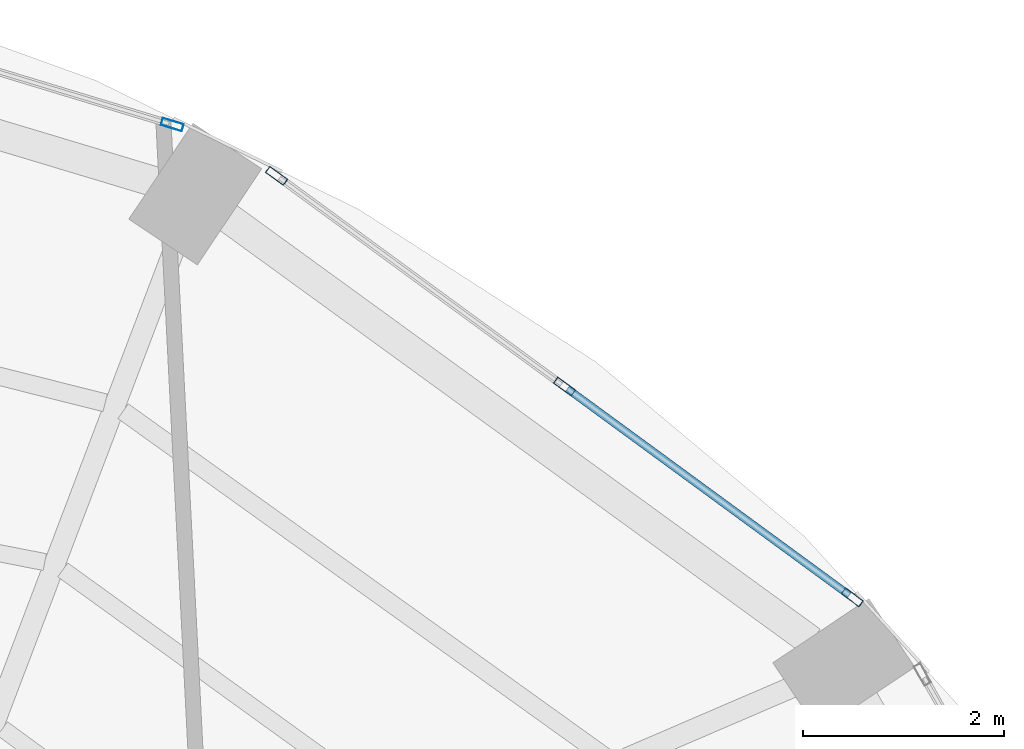
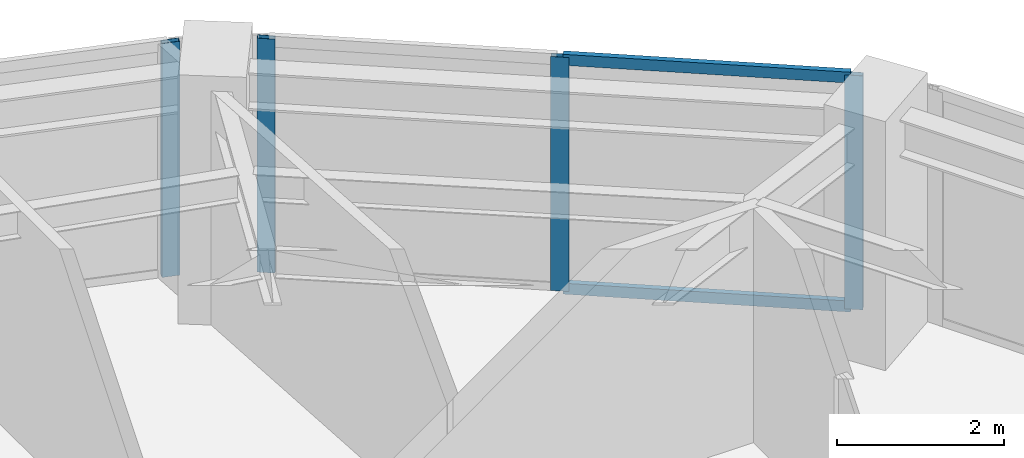
# One storey, part 14 of 20: 6 members, 2 elements without a shape of their own.
"""IFC4 building model written with IfcOpenShell, lengths in metres."""

from ifc_helpers import new_model, si_unit, direction, frame, origin, origin_2d, place, context, subcontext, project, spatial, hollow_rectangle, extrude, material, layer, layer_set, material_profile, profile_set, type_object, element, aggregate, save


model = new_model("IFC4")

# Units and contexts
model_context = context("Model", 3, precision=1e-05, world=origin(), true_north=direction((0.0, 1.0)))
body_context = subcontext(model_context, "Body", "Model", "MODEL_VIEW")
ifc_project = project(units=[si_unit("LENGTHUNIT", "METRE"), si_unit("AREAUNIT", "SQUARE_METRE"), si_unit("VOLUMEUNIT", "CUBIC_METRE"), si_unit("PLANEANGLEUNIT", "RADIAN"), si_unit("MASSUNIT", "GRAM", prefix="KILO")], contexts=[model_context])

# Site, building, storey
site_placement = place(None, origin())
site = spatial("IfcSite", under=ifc_project, at=site_placement, CompositionType="ELEMENT")
building_placement = place(site_placement, origin())
building = spatial("IfcBuilding", under=site, at=building_placement, Name="Lazwardi Medical Tower", CompositionType="ELEMENT")
storey_placement = place(building_placement, frame((0.0, 0.0, 156.528076171875)))
storey = spatial("IfcBuildingStorey", under=building, at=storey_placement, Name="L40", CompositionType="ELEMENT", Elevation=156.528076171875)

# Curtain wall, members
ifc_material_1 = material(Name="Anodised bronze aluminium and solar control glazing", Category="aluminium")
ifc_layer = layer(ifc_material_1, 0.195068359375)
ifc_layer_set = layer_set([ifc_layer], Name="Anodised bronze aluminium and solar control glazing")
curtain_wall_type = type_object("IfcCurtainWallType", Name="CW-SYS-03", PredefinedType="NOTDEFINED", material=ifc_layer_set)
curtain_wall_1_placement = place(storey_placement, origin())
curtain_wall_1 = element("IfcCurtainWall", 1, at=curtain_wall_1_placement, inside=storey, type_object=curtain_wall_type, Name="L40 Unitised bronze curtain wall CW-03", PredefinedType="NOTDEFINED")
ifc_material_2 = material(Name="Anodised bronze aluminium", Category="aluminium")
ifc_material_profile_1 = material_profile(ifc_material_2, hollow_rectangle(XDim=0.074951171875, YDim=0.219970703125, WallThickness=0.00390625, at=origin_2d()), Name="ALU-MULLION 220x75x4")
ifc_profile_set_1 = profile_set([ifc_material_profile_1], Name="Anodised bronze aluminium")
member_type_1 = type_object("IfcMemberType", Name="CW-MUL-01", PredefinedType="MULLION", material=ifc_profile_set_1)
member_1_placement = place(storey_placement, frame((55.519775390625, 40.5029296875, 0.0), z_axis=(0.0, 0.0, 1.0), x_axis=(-0.590833862635, -0.806793249082, 0.0)))
member_1 = element("IfcMember", 2, at=member_1_placement, type_object=member_type_1, Name="CW-03 mullion 1", PredefinedType="MULLION", context=body_context, shape_type="SweptSolid", body=[
    extrude(hollow_rectangle(XDim=0.074951171875, YDim=0.219970703125, WallThickness=0.00390625, at=origin_2d()), origin(), (0.0, 0.0, 1.0), 3.427978515625),
])
member_2_placement = place(storey_placement, frame((52.65771484375, 42.598876953125, 0.0), z_axis=(0.0, 0.0, 1.0), x_axis=(-0.590833862635, -0.806793249082, 0.0)))
member_2 = element("IfcMember", 3, at=member_2_placement, type_object=member_type_1, Name="CW-03 mullion 2", PredefinedType="MULLION", context=body_context, shape_type="SweptSolid", body=[
    extrude(hollow_rectangle(XDim=0.074951171875, YDim=0.219970703125, WallThickness=0.00390625, at=origin_2d()), origin(), (0.0, 0.0, 1.0), 3.427978515625),
])
member_3_placement = place(storey_placement, frame((49.795654296875, 44.69482421875, 0.0), z_axis=(0.0, 0.0, 1.0), x_axis=(-0.590833862635, -0.806793249082, 0.0)))
member_3 = element("IfcMember", 4, at=member_3_placement, type_object=member_type_1, Name="CW-03 mullion 3", PredefinedType="MULLION", context=body_context, shape_type="SweptSolid", body=[
    extrude(hollow_rectangle(XDim=0.074951171875, YDim=0.219970703125, WallThickness=0.00390625, at=origin_2d()), origin(), (0.0, 0.0, 1.0), 3.427978515625),
])

# Curtain wall, member
curtain_wall_2_placement = place(storey_placement, origin())
curtain_wall_2 = element("IfcCurtainWall", 5, at=curtain_wall_2_placement, inside=storey, type_object=curtain_wall_type, Name="L40 Unitised bronze curtain wall CW-03", PredefinedType="NOTDEFINED")
member_4_placement = place(storey_placement, frame((48.758056640625, 45.203369140625, 0.0), z_axis=(0.0, 0.0, 1.0), x_axis=(-0.290280785441, -0.956941516292, 0.0)))
member_4 = element("IfcMember", 6, at=member_4_placement, type_object=member_type_1, Name="CW-03 mullion 1", PredefinedType="MULLION", context=body_context, shape_type="SweptSolid", body=[
    extrude(hollow_rectangle(XDim=0.074951171875, YDim=0.219970703125, WallThickness=0.00390625, at=origin_2d()), origin(), (0.0, 0.0, 1.0), 3.427978515625),
])
aggregate(curtain_wall_2, [member_4])

# Member
ifc_material_profile_2 = material_profile(ifc_material_2, hollow_rectangle(XDim=0.074951171875, YDim=0.159912109375, WallThickness=0.00390625, at=origin_2d()), Name="ALU-TRANSOM 160x75x4")
ifc_profile_set_2 = profile_set([ifc_material_profile_2], Name="Anodised bronze aluminium")
member_type_2 = type_object("IfcMemberType", Name="CW-TRN-01", PredefinedType="USERDEFINED", material=ifc_profile_set_2)
member_5_placement = place(storey_placement, frame((55.489501953125, 40.525146484375, 0.037353515625), z_axis=(-0.806807161185, 0.590814864962, 0.0), x_axis=(-0.590814864962, -0.806807161185, 0.0)))
member_5 = element("IfcMember", 7, at=member_5_placement, type_object=member_type_2, Name="CW-03 transom 1.1", ObjectType="TRANSOM", PredefinedType="USERDEFINED", context=body_context, shape_type="SweptSolid", body=[
    extrude(hollow_rectangle(XDim=0.074951171875, YDim=0.159912109375, WallThickness=0.00390625, at=origin_2d()), origin(), (0.0, 0.0, 1.0), 3.472412109375),
])

member_6_placement = place(storey_placement, frame((55.489501953125, 40.525146484375, 3.390380859375), z_axis=(-0.806807161185, 0.590814864962, 0.0), x_axis=(-0.590814864962, -0.806807161185, 0.0)))
member_6 = element("IfcMember", 8, at=member_6_placement, type_object=member_type_2, Name="CW-03 transom 1.2", ObjectType="TRANSOM", PredefinedType="USERDEFINED", context=body_context, shape_type="SweptSolid", body=[
    extrude(hollow_rectangle(XDim=0.074951171875, YDim=0.159912109375, WallThickness=0.00390625, at=origin_2d()), origin(), (0.0, 0.0, 1.0), 3.472412109375),
])

aggregate(curtain_wall_1, [member_1, member_2, member_3, member_5, member_6])

save(model, "model.ifc")
